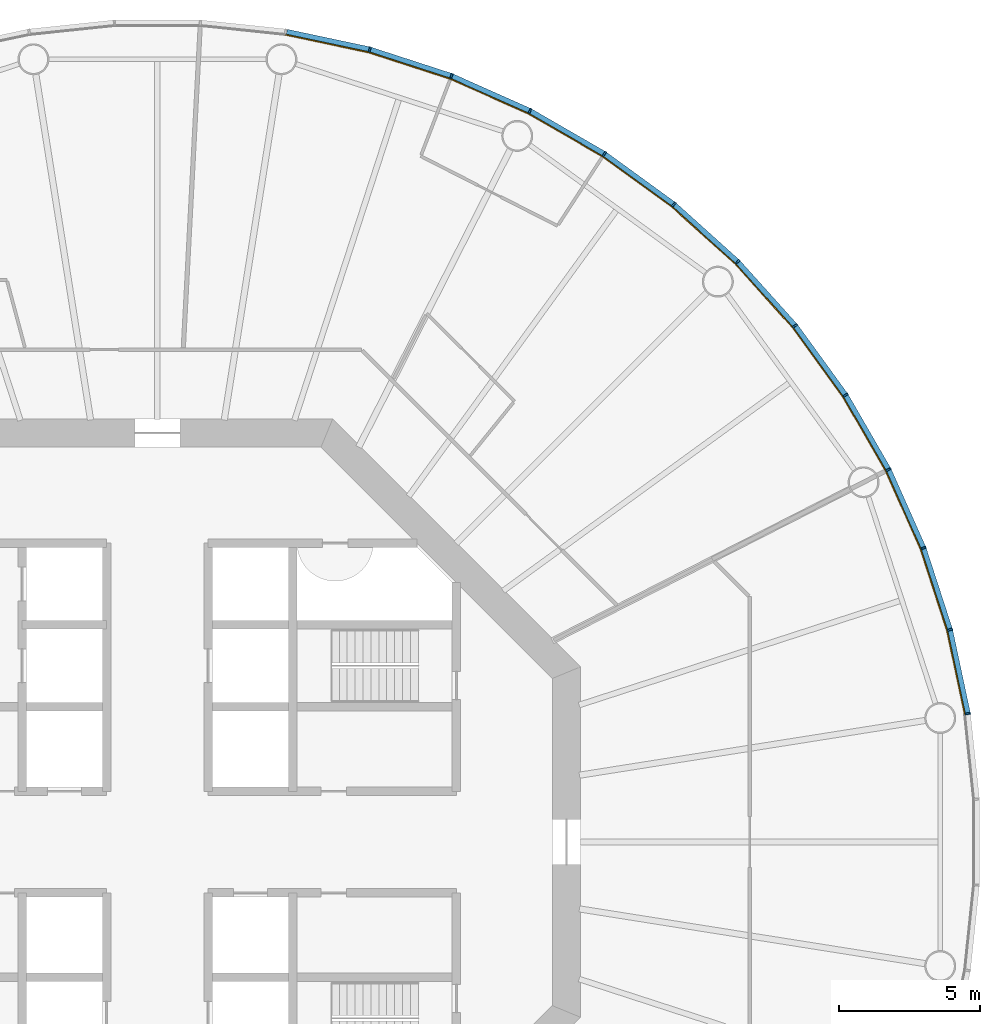
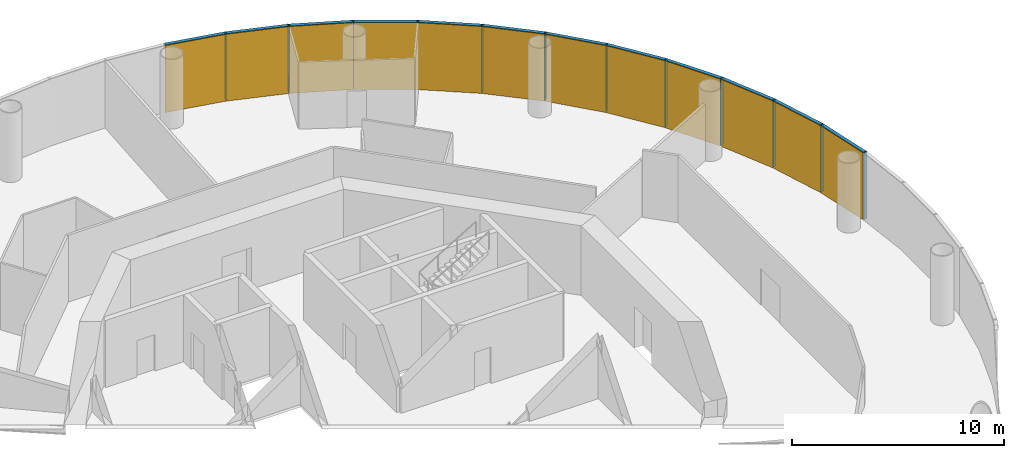
# One storey, part 12 of 13: 24 members, 4 curtain walls.
"""IFC4 building model written with IfcOpenShell, lengths in metres."""

from ifc_helpers import new_model, si_unit, direction, frame, origin, origin_2d, place, context, subcontext, project, spatial, polyline, rectangle, outline, extrude, material, layer, layer_set, material_profile, profile_set, type_object, element, aggregate, save


model = new_model("IFC4")

# Units and contexts
model_context = context("Model", 3, precision=1e-05, world=origin(), true_north=direction((0.0, 1.0)))
body_context = subcontext(model_context, "Body", "Model", "MODEL_VIEW")
ifc_project = project(units=[si_unit("LENGTHUNIT", "METRE"), si_unit("AREAUNIT", "SQUARE_METRE"), si_unit("VOLUMEUNIT", "CUBIC_METRE"), si_unit("PLANEANGLEUNIT", "RADIAN"), si_unit("MASSUNIT", "GRAM", prefix="KILO")], contexts=[model_context])

# Member
ifc_material_1 = material(Name="Anodised aluminium", Category="aluminium")
ifc_material_profile_1 = material_profile(ifc_material_1, rectangle(XDim=0.06494140625, YDim=0.18505859375, at=origin_2d()), Name="Mullion 65 x 185 mm anodised aluminium")
ifc_profile_set_1 = profile_set([ifc_material_profile_1], Name="Anodised aluminium")
member_type_1 = type_object("IfcMemberType", Name="Mullion 65 x 185 mm anodised aluminium", PredefinedType="MULLION", material=ifc_profile_set_1)
site_placement = place(None, origin())
building_placement = place(site_placement, origin())
storey_placement = place(building_placement, frame((0.0, 0.0, 156.0)))
member_1_placement = place(storey_placement, frame((118.734375, 84.551025390625, 0.0), z_axis=(0.0, 0.0, 1.0), x_axis=(-0.15643446504, 0.987688340595, 0.0)))
member_1 = element("IfcMember", 1, at=member_1_placement, type_object=member_type_1, Name="MULLION L35-00", PredefinedType="MULLION", context=body_context, shape_type="SweptSolid", body=[
    extrude(rectangle(XDim=0.06494140625, YDim=0.18505859375, at=origin_2d()), origin(), (0.0, 0.0, 1.0), 3.85009765625),
])

member_2_placement = place(storey_placement, frame((118.101318359375, 87.52978515625, 0.0), z_axis=(0.0, 0.0, 1.0), x_axis=(-0.258819045103, 0.965925826289, 0.0)))
member_2 = element("IfcMember", 2, at=member_2_placement, type_object=member_type_1, Name="MULLION L35-01", PredefinedType="MULLION", context=body_context, shape_type="SweptSolid", body=[
    extrude(rectangle(XDim=0.06494140625, YDim=0.18505859375, at=origin_2d()), origin(), (0.0, 0.0, 1.0), 3.85009765625),
])

member_3_placement = place(storey_placement, frame((117.16015625, 90.42578125, 0.0), z_axis=(0.0, 0.0, 1.0), x_axis=(-0.358367949545, 0.933580426497, 0.0)))
member_3 = element("IfcMember", 3, at=member_3_placement, type_object=member_type_1, Name="MULLION L35-02", PredefinedType="MULLION", context=body_context, shape_type="SweptSolid", body=[
    extrude(rectangle(XDim=0.06494140625, YDim=0.18505859375, at=origin_2d()), origin(), (0.0, 0.0, 1.0), 3.85009765625),
])

member_4_placement = place(storey_placement, frame((115.921630859375, 93.207763671875, 0.0), z_axis=(0.0, 0.0, 1.0), x_axis=(-0.45399049974, 0.891006524188, 0.0)))
member_4 = element("IfcMember", 4, at=member_4_placement, type_object=member_type_1, Name="MULLION L35-03", PredefinedType="MULLION", context=body_context, shape_type="SweptSolid", body=[
    extrude(rectangle(XDim=0.06494140625, YDim=0.18505859375, at=origin_2d()), origin(), (0.0, 0.0, 1.0), 3.85009765625),
])

member_5_placement = place(storey_placement, frame((114.39892578125, 95.844970703125, 0.0), z_axis=(0.0, 0.0, 1.0), x_axis=(-0.544639035015, 0.838670567945, 0.0)))
member_5 = element("IfcMember", 5, at=member_5_placement, type_object=member_type_1, Name="MULLION L35-04", PredefinedType="MULLION", context=body_context, shape_type="SweptSolid", body=[
    extrude(rectangle(XDim=0.06494140625, YDim=0.18505859375, at=origin_2d()), origin(), (0.0, 0.0, 1.0), 3.85009765625),
])

member_6_placement = place(storey_placement, frame((112.609130859375, 98.30859375, 0.0), z_axis=(0.0, 0.0, 1.0), x_axis=(-0.62932039105, 0.777145961457, 0.0)))
member_6 = element("IfcMember", 6, at=member_6_placement, type_object=member_type_1, Name="MULLION L35-05", PredefinedType="MULLION", context=body_context, shape_type="SweptSolid", body=[
    extrude(rectangle(XDim=0.06494140625, YDim=0.18505859375, at=origin_2d()), origin(), (0.0, 0.0, 1.0), 3.85009765625),
])

member_7_placement = place(storey_placement, frame((110.571533203125, 100.571533203125, 0.0), z_axis=(0.0, 0.0, 1.0), x_axis=(-0.707106781187, 0.707106781187, 0.0)))
member_7 = element("IfcMember", 7, at=member_7_placement, type_object=member_type_1, Name="MULLION L35-06", PredefinedType="MULLION", context=body_context, shape_type="SweptSolid", body=[
    extrude(rectangle(XDim=0.06494140625, YDim=0.18505859375, at=origin_2d()), origin(), (0.0, 0.0, 1.0), 3.85009765625),
])

member_8_placement = place(storey_placement, frame((108.30859375, 102.609130859375, 0.0), z_axis=(0.0, 0.0, 1.0), x_axis=(-0.777145961457, 0.62932039105, 0.0)))
member_8 = element("IfcMember", 8, at=member_8_placement, type_object=member_type_1, Name="MULLION L35-07", PredefinedType="MULLION", context=body_context, shape_type="SweptSolid", body=[
    extrude(rectangle(XDim=0.06494140625, YDim=0.18505859375, at=origin_2d()), origin(), (0.0, 0.0, 1.0), 3.85009765625),
])

member_9_placement = place(storey_placement, frame((105.844970703125, 104.39892578125, 0.0), z_axis=(0.0, 0.0, 1.0), x_axis=(-0.838670567945, 0.544639035015, 0.0)))
member_9 = element("IfcMember", 9, at=member_9_placement, type_object=member_type_1, Name="MULLION L35-08", PredefinedType="MULLION", context=body_context, shape_type="SweptSolid", body=[
    extrude(rectangle(XDim=0.06494140625, YDim=0.18505859375, at=origin_2d()), origin(), (0.0, 0.0, 1.0), 3.85009765625),
])

member_10_placement = place(storey_placement, frame((103.207763671875, 105.921630859375, 0.0), z_axis=(0.0, 0.0, 1.0), x_axis=(-0.891006524188, 0.45399049974, 0.0)))
member_10 = element("IfcMember", 10, at=member_10_placement, type_object=member_type_1, Name="MULLION L35-09", PredefinedType="MULLION", context=body_context, shape_type="SweptSolid", body=[
    extrude(rectangle(XDim=0.06494140625, YDim=0.18505859375, at=origin_2d()), origin(), (0.0, 0.0, 1.0), 3.85009765625),
])

member_11_placement = place(storey_placement, frame((100.42578125, 107.16015625, 0.0), z_axis=(0.0, 0.0, 1.0), x_axis=(-0.933580426497, 0.358367949545, 0.0)))
member_11 = element("IfcMember", 11, at=member_11_placement, type_object=member_type_1, Name="MULLION L35-10", PredefinedType="MULLION", context=body_context, shape_type="SweptSolid", body=[
    extrude(rectangle(XDim=0.06494140625, YDim=0.18505859375, at=origin_2d()), origin(), (0.0, 0.0, 1.0), 3.85009765625),
])

member_12_placement = place(storey_placement, frame((97.52978515625, 108.101318359375, 0.0), z_axis=(0.0, 0.0, 1.0), x_axis=(-0.965925826289, 0.258819045103, 0.0)))
member_12 = element("IfcMember", 12, at=member_12_placement, type_object=member_type_1, Name="MULLION L35-11", PredefinedType="MULLION", context=body_context, shape_type="SweptSolid", body=[
    extrude(rectangle(XDim=0.06494140625, YDim=0.18505859375, at=origin_2d()), origin(), (0.0, 0.0, 1.0), 3.85009765625),
])

ifc_material_2 = material(Name="Anodised aluminium", Category="aluminium")
ifc_material_profile_2 = material_profile(ifc_material_2, rectangle(XDim=0.18505859375, YDim=0.175048828125, at=origin_2d()), Name="Transom 175 x 185 mm anodised aluminium")
ifc_profile_set_2 = profile_set([ifc_material_profile_2], Name="Anodised aluminium")
member_type_2 = type_object("IfcMemberType", Name="Transom 175 x 185 mm anodised aluminium", PredefinedType="USERDEFINED", material=ifc_profile_set_2)
member_13_placement = place(storey_placement, frame((118.7265625, 84.587646484375, 3.762451171875), z_axis=(-0.207861704825, 0.97815822425, 0.0), x_axis=(-0.97815822425, -0.207861704825, 0.0)))
member_13 = element("IfcMember", 13, at=member_13_placement, type_object=member_type_2, Name="TRANSOM L35-00", ObjectType="TRANSOM", PredefinedType="USERDEFINED", context=body_context, shape_type="SweptSolid", body=[
    extrude(rectangle(XDim=0.18505859375, YDim=0.175048828125, at=origin_2d()), origin(), (0.0, 0.0, 1.0), 2.970458984375),
])

member_14_placement = place(storey_placement, frame((118.08984375, 87.565185546875, 3.762451171875), z_axis=(-0.30901917063, 0.951055809184, 0.0), x_axis=(-0.951055809184, -0.30901917063, 0.0)))
member_14 = element("IfcMember", 14, at=member_14_placement, type_object=member_type_2, Name="TRANSOM L35-01", ObjectType="TRANSOM", PredefinedType="USERDEFINED", context=body_context, shape_type="SweptSolid", body=[
    extrude(rectangle(XDim=0.18505859375, YDim=0.175048828125, at=origin_2d()), origin(), (0.0, 0.0, 1.0), 2.970703125),
])

member_15_placement = place(storey_placement, frame((117.14501953125, 90.4599609375, 3.762451171875), z_axis=(-0.406687471156, 0.913567348806, 0.0), x_axis=(-0.913567348806, -0.406687471156, 0.0)))
member_15 = element("IfcMember", 15, at=member_15_placement, type_object=member_type_2, Name="TRANSOM L35-02", ObjectType="TRANSOM", PredefinedType="USERDEFINED", context=body_context, shape_type="SweptSolid", body=[
    extrude(rectangle(XDim=0.18505859375, YDim=0.175048828125, at=origin_2d()), origin(), (0.0, 0.0, 1.0), 2.970458984375),
])

member_16_placement = place(storey_placement, frame((115.903076171875, 93.240234375, 3.762451171875), z_axis=(-0.500028367561, 0.866009025146, 0.0), x_axis=(-0.866009025146, -0.500028367561, 0.0)))
member_16 = element("IfcMember", 16, at=member_16_placement, type_object=member_type_2, Name="TRANSOM L35-03", ObjectType="TRANSOM", PredefinedType="USERDEFINED", context=body_context, shape_type="SweptSolid", body=[
    extrude(rectangle(XDim=0.18505859375, YDim=0.175048828125, at=origin_2d()), origin(), (0.0, 0.0, 1.0), 2.970458984375),
])

member_17_placement = place(storey_placement, frame((114.377197265625, 95.875244140625, 3.762451171875), z_axis=(-0.587819781808, 0.808991906087, 0.0), x_axis=(-0.808991906087, -0.587819781808, 0.0)))
member_17 = element("IfcMember", 17, at=member_17_placement, type_object=member_type_2, Name="TRANSOM L35-04", ObjectType="TRANSOM", PredefinedType="USERDEFINED", context=body_context, shape_type="SweptSolid", body=[
    extrude(rectangle(XDim=0.18505859375, YDim=0.175048828125, at=origin_2d()), origin(), (0.0, 0.0, 1.0), 2.970458984375),
])

member_18_placement = place(storey_placement, frame((112.584228515625, 98.33642578125, 3.762451171875), z_axis=(-0.669110027395, 0.743163354343, 0.0), x_axis=(-0.743163354343, -0.669110027395, 0.0)))
member_18 = element("IfcMember", 18, at=member_18_placement, type_object=member_type_2, Name="TRANSOM L35-05", ObjectType="TRANSOM", PredefinedType="USERDEFINED", context=body_context, shape_type="SweptSolid", body=[
    extrude(rectangle(XDim=0.18505859375, YDim=0.175048828125, at=origin_2d()), origin(), (0.0, 0.0, 1.0), 2.970458984375),
])

member_19_placement = place(storey_placement, frame((110.5439453125, 100.5966796875, 3.762451171875), z_axis=(-0.743163354343, 0.669110027395, 0.0), x_axis=(-0.669110027395, -0.743163354343, 0.0)))
member_19 = element("IfcMember", 19, at=member_19_placement, type_object=member_type_2, Name="TRANSOM L35-06", ObjectType="TRANSOM", PredefinedType="USERDEFINED", context=body_context, shape_type="SweptSolid", body=[
    extrude(rectangle(XDim=0.18505859375, YDim=0.175048828125, at=origin_2d()), origin(), (0.0, 0.0, 1.0), 2.970458984375),
])

member_20_placement = place(storey_placement, frame((108.2783203125, 102.631103515625, 3.762451171875), z_axis=(-0.808991906087, 0.587819781808, 0.0), x_axis=(-0.587819781808, -0.808991906087, 0.0)))
member_20 = element("IfcMember", 20, at=member_20_placement, type_object=member_type_2, Name="TRANSOM L35-07", ObjectType="TRANSOM", PredefinedType="USERDEFINED", context=body_context, shape_type="SweptSolid", body=[
    extrude(rectangle(XDim=0.18505859375, YDim=0.175048828125, at=origin_2d()), origin(), (0.0, 0.0, 1.0), 2.970458984375),
])

member_21_placement = place(storey_placement, frame((105.812744140625, 104.417724609375, 3.762451171875), z_axis=(-0.866009025146, 0.500028367561, 0.0), x_axis=(-0.500028367561, -0.866009025146, 0.0)))
member_21 = element("IfcMember", 21, at=member_21_placement, type_object=member_type_2, Name="TRANSOM L35-08", ObjectType="TRANSOM", PredefinedType="USERDEFINED", context=body_context, shape_type="SweptSolid", body=[
    extrude(rectangle(XDim=0.18505859375, YDim=0.175048828125, at=origin_2d()), origin(), (0.0, 0.0, 1.0), 2.970458984375),
])

member_22_placement = place(storey_placement, frame((103.173583984375, 105.93701171875, 3.762451171875), z_axis=(-0.913567348806, 0.406687471156, 0.0), x_axis=(-0.406687471156, -0.913567348806, 0.0)))
member_22 = element("IfcMember", 22, at=member_22_placement, type_object=member_type_2, Name="TRANSOM L35-09", ObjectType="TRANSOM", PredefinedType="USERDEFINED", context=body_context, shape_type="SweptSolid", body=[
    extrude(rectangle(XDim=0.18505859375, YDim=0.175048828125, at=origin_2d()), origin(), (0.0, 0.0, 1.0), 2.970458984375),
])

member_23_placement = place(storey_placement, frame((100.390380859375, 107.171875, 3.762451171875), z_axis=(-0.951055809184, 0.30901917063, 0.0), x_axis=(-0.30901917063, -0.951055809184, 0.0)))
member_23 = element("IfcMember", 23, at=member_23_placement, type_object=member_type_2, Name="TRANSOM L35-10", ObjectType="TRANSOM", PredefinedType="USERDEFINED", context=body_context, shape_type="SweptSolid", body=[
    extrude(rectangle(XDim=0.18505859375, YDim=0.175048828125, at=origin_2d()), origin(), (0.0, 0.0, 1.0), 2.970703125),
])

member_24_placement = place(storey_placement, frame((97.4931640625, 108.109130859375, 3.762451171875), z_axis=(-0.97815822425, 0.207861704825, 0.0), x_axis=(-0.207861704825, -0.97815822425, 0.0)))
member_24 = element("IfcMember", 24, at=member_24_placement, type_object=member_type_2, Name="TRANSOM L35-11", ObjectType="TRANSOM", PredefinedType="USERDEFINED", context=body_context, shape_type="SweptSolid", body=[
    extrude(rectangle(XDim=0.18505859375, YDim=0.175048828125, at=origin_2d()), origin(), (0.0, 0.0, 1.0), 2.970458984375),
])

# Site, building, storey
site = spatial("IfcSite", under=ifc_project, at=site_placement, CompositionType="ELEMENT")
building = spatial("IfcBuilding", under=site, at=building_placement, Name="Entoto Ring Tower", CompositionType="ELEMENT")
storey = spatial("IfcBuildingStorey", under=building, at=storey_placement, Name="L35", CompositionType="ELEMENT", Elevation=156.0)

# Curtain wall
ifc_material_3 = material(Name="Clear low-iron glass", Category="glass")
ifc_layer = layer(ifc_material_3, 0.033935546875)
ifc_layer_set = layer_set([ifc_layer], Name="Clear low-iron glass")
curtain_wall_type = type_object("IfcCurtainWallType", Name="Curtain wall system CW3 glazing 34 mm", PredefinedType="NOTDEFINED", material=ifc_layer_set)
curtain_wall_1_placement = place(storey_placement, origin())
curtain_wall_1 = element("IfcCurtainWall", 25, at=curtain_wall_1_placement, inside=storey, type_object=curtain_wall_type, Name="CW3 L35-01", PredefinedType="NOTDEFINED", context=body_context, shape_type="SweptSolid", body=[
    extrude(outline(polyline([(118.64306640625, 84.53662109375), (118.011962890625, 87.505859375), (117.07373046875, 90.392578125), (115.839111328125, 93.165771484375), (115.808837890625, 93.150146484375), (117.0419921875, 90.38037109375), (117.97900390625, 87.496826171875), (118.609375, 84.53125), (118.64306640625, 84.53662109375)])), origin(), (0.0, 0.0, 1.0), 3.85009765625),
])

aggregate(curtain_wall_1, [member_1, member_2, member_3, member_13, member_14, member_15])

curtain_wall_2_placement = place(storey_placement, origin())
curtain_wall_2 = element("IfcCurtainWall", 26, at=curtain_wall_2_placement, inside=storey, type_object=curtain_wall_type, Name="CW3 L35-02", PredefinedType="NOTDEFINED", context=body_context, shape_type="SweptSolid", body=[
    extrude(outline(polyline([(115.839111328125, 93.165771484375), (114.321533203125, 95.79443359375), (112.537353515625, 98.250244140625), (110.506103515625, 100.506103515625), (110.48193359375, 100.48193359375), (112.5107421875, 98.228759765625), (114.29296875, 95.77587890625), (115.808837890625, 93.150146484375), (115.839111328125, 93.165771484375)])), origin(), (0.0, 0.0, 1.0), 3.85009765625),
])

aggregate(curtain_wall_2, [member_4, member_5, member_6, member_16, member_17, member_18])

curtain_wall_3_placement = place(storey_placement, origin())
curtain_wall_3 = element("IfcCurtainWall", 27, at=curtain_wall_3_placement, inside=storey, type_object=curtain_wall_type, Name="CW3 L35-03", PredefinedType="NOTDEFINED", context=body_context, shape_type="SweptSolid", body=[
    extrude(outline(polyline([(110.506103515625, 100.506103515625), (108.250244140625, 102.537353515625), (105.79443359375, 104.321533203125), (103.165771484375, 105.839111328125), (103.150146484375, 105.808837890625), (105.77587890625, 104.29296875), (108.228759765625, 102.5107421875), (110.48193359375, 100.48193359375), (110.506103515625, 100.506103515625)])), origin(), (0.0, 0.0, 1.0), 3.85009765625),
])

aggregate(curtain_wall_3, [member_7, member_8, member_9, member_19, member_20, member_21])

curtain_wall_4_placement = place(storey_placement, origin())
curtain_wall_4 = element("IfcCurtainWall", 28, at=curtain_wall_4_placement, inside=storey, type_object=curtain_wall_type, Name="CW3 L35-04", PredefinedType="NOTDEFINED", context=body_context, shape_type="SweptSolid", body=[
    extrude(outline(polyline([(103.165771484375, 105.839111328125), (100.392578125, 107.07373046875), (97.505859375, 108.011962890625), (94.53662109375, 108.64306640625), (94.53125, 108.609375), (97.496826171875, 107.97900390625), (100.38037109375, 107.0419921875), (103.150146484375, 105.808837890625), (103.165771484375, 105.839111328125)])), origin(), (0.0, 0.0, 1.0), 3.85009765625),
])

aggregate(curtain_wall_4, [member_10, member_11, member_12, member_22, member_23, member_24])

save(model, "model.ifc")
